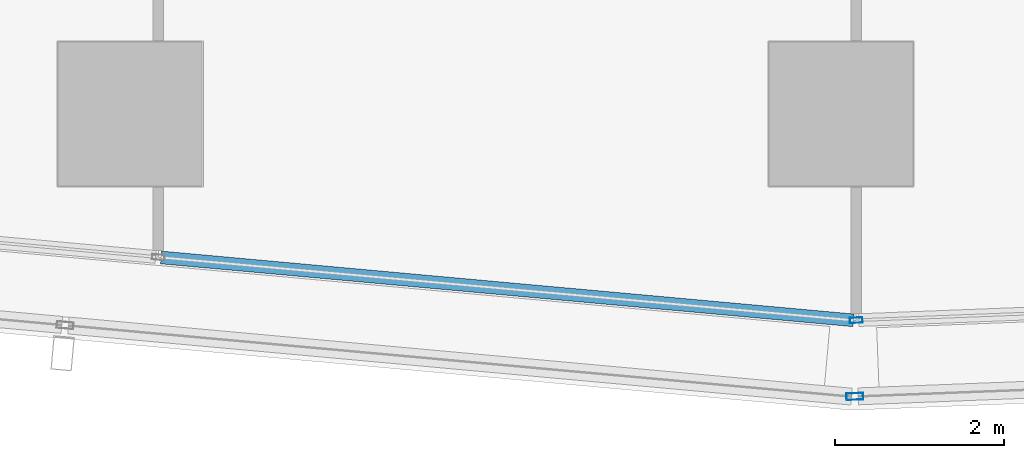
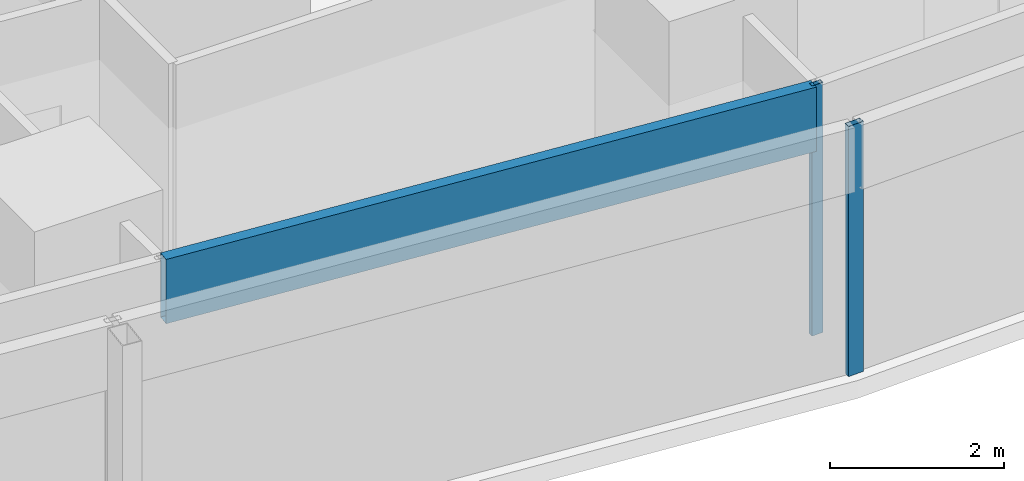
# One storey, part 5 of 40: 3 members, 3 elements without a shape of their own.
"""IFC4 building model written with IfcOpenShell, lengths in metres."""

from ifc_helpers import new_model, si_unit, direction, frame, origin, origin_2d, place, context, subcontext, project, spatial, hollow_rectangle, extrude, material, material_profile, profile_set, type_object, element, aggregate, save


model = new_model("IFC4")

# Units and contexts
model_context = context("Model", 3, precision=1e-05, world=origin(), true_north=direction((0.0, 1.0)))
body_context = subcontext(model_context, "Body", "Model", "MODEL_VIEW")
ifc_project = project(units=[si_unit("LENGTHUNIT", "METRE"), si_unit("AREAUNIT", "SQUARE_METRE"), si_unit("VOLUMEUNIT", "CUBIC_METRE"), si_unit("PLANEANGLEUNIT", "RADIAN"), si_unit("MASSUNIT", "GRAM", prefix="KILO")], contexts=[model_context])

# Site, building, storey
site_placement = place(None, origin())
site = spatial("IfcSite", under=ifc_project, at=site_placement, CompositionType="ELEMENT")
building_placement = place(site_placement, origin())
building = spatial("IfcBuilding", under=site, at=building_placement, Name="Rekha Terrace Tower", CompositionType="ELEMENT")
storey_placement = place(building_placement, frame((0.0, 0.0, 132.800048828125)))
storey = spatial("IfcBuildingStorey", under=building, at=storey_placement, Name="L33", CompositionType="ELEMENT", Elevation=132.800048828125)

# Curtain wall, member
ifc_material_1 = material(Name="Aluminium framing", Category="aluminium")
curtain_wall_type_1 = type_object("IfcCurtainWallType", Name="CW1 double skin inner glazing", PredefinedType="USERDEFINED", material=ifc_material_1)
curtain_wall_1_placement = place(storey_placement, origin())
curtain_wall_1 = element("IfcCurtainWall", 1, at=curtain_wall_1_placement, inside=storey, type_object=curtain_wall_type_1, Name="CW1 double skin inner glazing", ObjectType="DOUBLE SKIN INNER GLAZING", PredefinedType="USERDEFINED")
ifc_material_2 = material(Name="Aluminium mullion section", Category="aluminium")
ifc_material_profile_1 = material_profile(ifc_material_2, hollow_rectangle(XDim=0.06494140625, YDim=0.14990234375, WallThickness=0.00390625, at=origin_2d()), Name="AL RHS 65x150")
ifc_profile_set_1 = profile_set([ifc_material_profile_1], Name="Aluminium mullion section")
member_type_1 = type_object("IfcMemberType", Name="CW1 mullion RHS 65 x 150", PredefinedType="MULLION", material=ifc_profile_set_1)
member_1_placement = place(storey_placement, frame((25.3798828125, 14.363037109375, 0.0), z_axis=(0.0, 0.0, 1.0), x_axis=(-0.038889971345, 0.999243498917, 0.0)))
member_1 = element("IfcMember", 2, at=member_1_placement, type_object=member_type_1, Name="CW1 mullion 1", PredefinedType="MULLION", context=body_context, shape_type="SweptSolid", body=[
    extrude(hollow_rectangle(XDim=0.06494140625, YDim=0.14990234375, WallThickness=0.00390625, at=origin_2d()), origin(), (0.0, 0.0, 1.0), 3.5),
])
aggregate(curtain_wall_1, [member_1])

curtain_wall_2_placement = place(storey_placement, origin())
curtain_wall_2 = element("IfcCurtainWall", 3, at=curtain_wall_2_placement, inside=storey, type_object=curtain_wall_type_1, Name="CW1 double skin inner glazing", ObjectType="DOUBLE SKIN INNER GLAZING", PredefinedType="USERDEFINED")
ifc_material_3 = material(Name="Insulated aluminium spandrel box", Category="aluminium")
ifc_material_profile_2 = material_profile(ifc_material_3, hollow_rectangle(XDim=0.14990234375, YDim=0.89990234375, WallThickness=0.0029296875, at=origin_2d()), Name="AL SPANDREL BOX 150x900")
ifc_profile_set_2 = profile_set([ifc_material_profile_2], Name="Insulated aluminium spandrel box")
member_type_2 = type_object("IfcMemberType", Name="CW1 spandrel transom 150 x 900", PredefinedType="USERDEFINED", material=ifc_profile_set_2)
member_2_placement = place(storey_placement, frame((17.16650390625, 15.104736328125, 3.050048828125), z_axis=(0.995901971759, -0.090439276017, 0.0), x_axis=(0.090439276017, 0.995901971759, 0.0)))
member_2 = element("IfcMember", 4, at=member_2_placement, type_object=member_type_2, Name="CW1 spandrel transom 2", ObjectType="TRANSOM", PredefinedType="USERDEFINED", context=body_context, shape_type="SweptSolid", body=[
    extrude(hollow_rectangle(XDim=0.14990234375, YDim=0.89990234375, WallThickness=0.0029296875, at=origin_2d()), origin(), (0.0, 0.0, 1.0), 8.214599609375),
])
aggregate(curtain_wall_2, [member_2])

curtain_wall_type_2 = type_object("IfcCurtainWallType", Name="CW2 double skin outer glazing", PredefinedType="USERDEFINED", material=ifc_material_1)
curtain_wall_3_placement = place(storey_placement, origin())
curtain_wall_3 = element("IfcCurtainWall", 5, at=curtain_wall_3_placement, inside=storey, type_object=curtain_wall_type_2, Name="CW2 double skin outer glazing", ObjectType="DOUBLE SKIN OUTER GLAZING", PredefinedType="USERDEFINED")
ifc_material_profile_3 = material_profile(ifc_material_2, hollow_rectangle(XDim=0.080078125, YDim=0.199951171875, WallThickness=0.00390625, at=origin_2d()), Name="AL RHS 80x200")
ifc_profile_set_3 = profile_set([ifc_material_profile_3], Name="Aluminium mullion section")
member_type_3 = type_object("IfcMemberType", Name="CW2 mullion RHS 80 x 200", PredefinedType="MULLION", material=ifc_profile_set_3)
member_3_placement = place(storey_placement, frame((25.364013671875, 13.4619140625, 0.0), z_axis=(0.0, 0.0, 1.0), x_axis=(-0.038889971345, 0.999243498917, 0.0)))
member_3 = element("IfcMember", 6, at=member_3_placement, type_object=member_type_3, Name="CW2 mullion 1", PredefinedType="MULLION", context=body_context, shape_type="SweptSolid", body=[
    extrude(hollow_rectangle(XDim=0.080078125, YDim=0.199951171875, WallThickness=0.00390625, at=origin_2d()), origin(), (0.0, 0.0, 1.0), 3.5),
])
aggregate(curtain_wall_3, [member_3])

save(model, "model.ifc")
